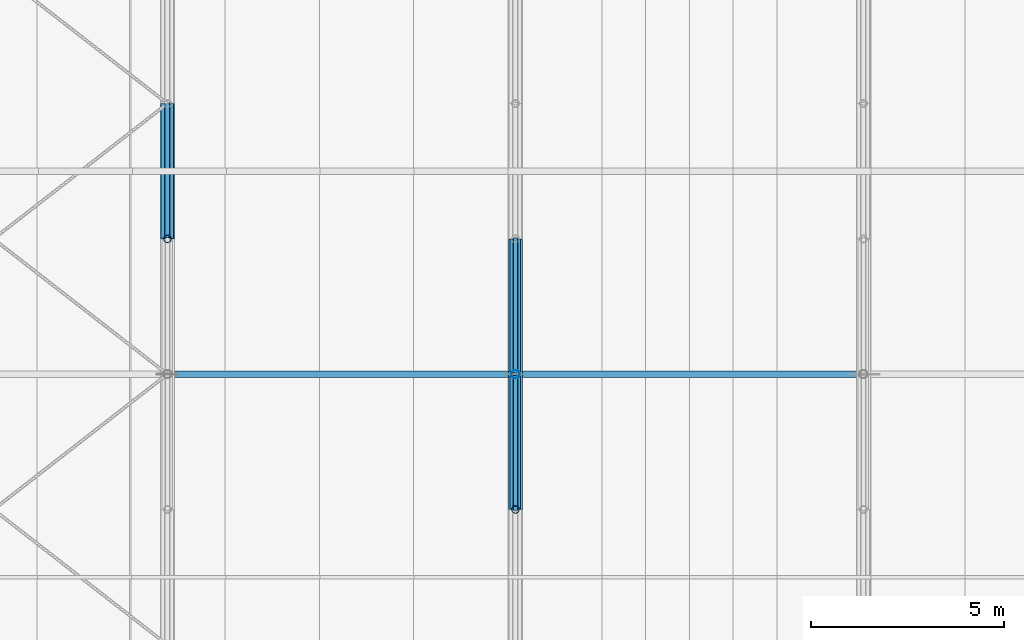
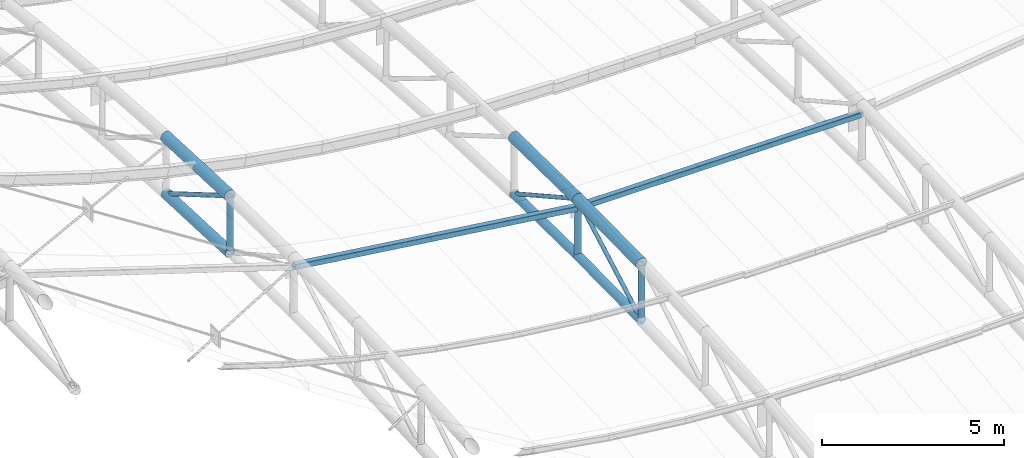
# One storey, part 25 of 262: 14 members.
"""IFC4 building model written with IfcOpenShell, lengths in metres."""

from ifc_helpers import new_model, si_unit, derived_unit, direction, frame, origin, origin_2d, place, context, subcontext, project, spatial, hollow_rectangle, hollow_circle, extrude, material, material_profile, profile_set, type_object, element, save


model = new_model("IFC4")

# Units and contexts
model_context = context("Model", 3, precision=1e-05, world=origin(), true_north=direction((0.0, 1.0)))
body_context = subcontext(model_context, "Body", "Model", "MODEL_VIEW")
ifc_project = project(units=[si_unit("LENGTHUNIT", "METRE"), si_unit("AREAUNIT", "SQUARE_METRE"), si_unit("VOLUMEUNIT", "CUBIC_METRE"), si_unit("PLANEANGLEUNIT", "RADIAN"), si_unit("MASSUNIT", "GRAM", prefix="KILO"), derived_unit("THERMALTRANSMITTANCEUNIT", [(si_unit("POWERUNIT", "WATT"), 1), (si_unit("LENGTHUNIT", "METRE"), -2), (si_unit("THERMODYNAMICTEMPERATUREUNIT", "KELVIN"), -1)])], contexts=[model_context])

# Site, building, storey
site_placement = place(None, origin())
site = spatial("IfcSite", under=ifc_project, at=site_placement, CompositionType="ELEMENT")
building_placement = place(site_placement, origin())
building = spatial("IfcBuilding", under=site, at=building_placement, Name="Almenara Railside Exhibition Hall", CompositionType="ELEMENT")
storey_placement = place(building_placement, frame((0.0, 0.0, 21.699951171875)))
storey = spatial("IfcBuildingStorey", under=building, at=storey_placement, Name="RF", CompositionType="ELEMENT", Elevation=21.699951171875)

# Members
ifc_material = material(Name="Structural steel S355JR", Category="steel")
ifc_material_profile_1 = material_profile(ifc_material, hollow_circle(Radius=0.136474609375, WallThickness=0.010009765625, at=origin_2d()), Name="CHS 273x10")
ifc_profile_set_1 = profile_set([ifc_material_profile_1], Name="Structural steel S355JR")
member_type_1 = type_object("IfcMemberType", Name="Plenary Crown Bottom Chord CHS 273x10 S355JR", PredefinedType="CHORD", material=ifc_profile_set_1)
for number, where, z_axis, x_axis, name in (
    (1, (30.0, 17.5, -8.20166015625), (0.0, 0.999897775465, 0.014298203402), (-1.0, 0.0, 0.0), "MEM-BC-V4-03-05"),
    (2, (30.0, 21.0, -8.151611328125), (0.0, 0.999897775465, -0.014298203402), (-1.0, 0.0, 0.0), "MEM-BC-V4-03-06"),
):
    element("IfcMember", number, at=place(storey_placement, frame(where, z_axis=z_axis, x_axis=x_axis)), inside=storey, type_object=member_type_1, Name=name, PredefinedType="CHORD", context=body_context, shape_type="SweptSolid", body=[
        extrude(hollow_circle(Radius=0.136474609375, WallThickness=0.010009765625, at=origin_2d()), origin(), (0.0, 0.0, 1.0), 3.500244140625),
    ])
ifc_material_profile_2 = material_profile(ifc_material, hollow_rectangle(XDim=0.179931640625, YDim=0.179931640625, WallThickness=0.008056640625, InnerFilletRadius=0.008056640625, OuterFilletRadius=0.01611328125, at=origin_2d()), Name="SHS 180x180x8")
ifc_profile_set_2 = profile_set([ifc_material_profile_2], Name="Structural steel S355JR")
member_type_2 = type_object("IfcMemberType", Name="Plenary Eaves Strut SHS 180x180x8 S355JR", PredefinedType="BRACE", material=ifc_profile_set_2)
member_1_placement = place(storey_placement, frame((21.0, 21.0, -5.3505859375), z_axis=(0.991497815941, 0.0, -0.130123329902), x_axis=(0.0, 1.0, 0.0)))
element("IfcMember", 3, at=member_1_placement, inside=storey, type_object=member_type_2, Name="MEM-ES-V4-02", PredefinedType="BRACE", context=body_context, shape_type="SweptSolid", body=[
    extrude(hollow_rectangle(XDim=0.179931640625, YDim=0.179931640625, WallThickness=0.008056640625, InnerFilletRadius=0.008056640625, OuterFilletRadius=0.01611328125, at=origin_2d()), origin(), (0.0, 0.0, 1.0), 9.0771484375),
])
member_2_placement = place(storey_placement, frame((30.0, 21.0, -6.53173828125), z_axis=(1.0, 0.0, 0.0), x_axis=(0.0, 1.0, 0.0)))
element("IfcMember", 4, at=member_2_placement, inside=storey, type_object=member_type_2, Name="MEM-ES-V4-03", PredefinedType="BRACE", context=body_context, shape_type="SweptSolid", body=[
    extrude(hollow_rectangle(XDim=0.179931640625, YDim=0.179931640625, WallThickness=0.008056640625, InnerFilletRadius=0.008056640625, OuterFilletRadius=0.01611328125, at=origin_2d()), origin(), (0.0, 0.0, 1.0), 9.0),
])
ifc_material_profile_3 = material_profile(ifc_material, hollow_circle(Radius=0.161865234375, WallThickness=0.010009765625, at=origin_2d()), Name="CHS 323.9x10")
ifc_profile_set_3 = profile_set([ifc_material_profile_3], Name="Structural steel S355JR")
member_type_3 = type_object("IfcMemberType", Name="Plenary Truss Bottom Chord CHS 323.9x10 S355JR", PredefinedType="CHORD", material=ifc_profile_set_3)
member_3_placement = place(storey_placement, frame((21.0, 24.5, -7.0205078125), z_axis=(0.0, 0.999081106193, -0.042859575914), x_axis=(-1.0, 0.0, 0.0)))
element("IfcMember", 5, at=member_3_placement, inside=storey, type_object=member_type_3, Name="MEM-BC-V4-02-07", PredefinedType="CHORD", context=body_context, shape_type="SweptSolid", body=[
    extrude(hollow_circle(Radius=0.161865234375, WallThickness=0.010009765625, at=origin_2d()), origin(), (0.0, 0.0, 1.0), 3.503173828125),
])
ifc_material_profile_4 = material_profile(ifc_material, hollow_circle(Radius=0.177734375, WallThickness=0.012451171875, at=origin_2d()), Name="CHS 355.6x12.5")
ifc_profile_set_4 = profile_set([ifc_material_profile_4], Name="Structural steel S355JR")
member_type_4 = type_object("IfcMemberType", Name="Plenary Truss Top Chord CHS 355.6x12.5 S355JR", PredefinedType="CHORD", material=ifc_profile_set_4)
member_4_placement = place(storey_placement, frame((21.0, 24.5, -5.12060546875), z_axis=(0.0, 0.999084087935, -0.042790013253), x_axis=(-1.0, 0.0, 0.0)))
element("IfcMember", 6, at=member_4_placement, inside=storey, type_object=member_type_4, Name="MEM-TC-V4-02-07", PredefinedType="CHORD", context=body_context, shape_type="SweptSolid", body=[
    extrude(hollow_circle(Radius=0.177734375, WallThickness=0.012451171875, at=origin_2d()), origin(), (0.0, 0.0, 1.0), 3.503173828125),
])
for number, where, z_axis, x_axis, name in (
    (7, (30.0, 17.5, -6.3017578125), (0.0, 0.999897775465, 0.014298203402), (-1.0, 0.0, 0.0), "MEM-TC-V4-03-05"),
    (8, (30.0, 21.0, -6.251708984375), (0.0, 0.999897775465, -0.014298203402), (-1.0, 0.0, 0.0), "MEM-TC-V4-03-06"),
):
    element("IfcMember", number, at=place(storey_placement, frame(where, z_axis=z_axis, x_axis=x_axis)), inside=storey, type_object=member_type_4, Name=name, PredefinedType="CHORD", context=body_context, shape_type="SweptSolid", body=[
        extrude(hollow_circle(Radius=0.177734375, WallThickness=0.012451171875, at=origin_2d()), origin(), (0.0, 0.0, 1.0), 3.500244140625),
    ])
ifc_material_profile_5 = material_profile(ifc_material, hollow_circle(Radius=0.0634765625, WallThickness=0.00439453125, at=origin_2d()), Name="CHS 127.0x4.5")
ifc_profile_set_5 = profile_set([ifc_material_profile_5], Name="Structural steel S355JR")
member_type_5 = type_object("IfcMemberType", Name="Truss Crown Diagonal CHS 127.0x4.5 S355JR", PredefinedType="BRACE", material=ifc_profile_set_5)
for number, where, z_axis, x_axis, name in (
    (9, (30.0, 17.5, -8.20166015625), (0.0, 0.873573157803, 0.486692857936), (-1.0, 0.0, 0.0), "MEM-TD-V4-03-05"),
    (10, (30.0, 21.0, -6.251708984375), (0.0, 0.873573157803, -0.486692857936), (-1.0, 0.0, 0.0), "MEM-TD-V4-03-06"),
):
    element("IfcMember", number, at=place(storey_placement, frame(where, z_axis=z_axis, x_axis=x_axis)), inside=storey, type_object=member_type_5, Name=name, PredefinedType="BRACE", context=body_context, shape_type="SweptSolid", body=[
        extrude(hollow_circle(Radius=0.0634765625, WallThickness=0.00439453125, at=origin_2d()), origin(), (0.0, 0.0, 1.0), 4.006591796875),
    ])
ifc_material_profile_6 = material_profile(ifc_material, hollow_circle(Radius=0.06982421875, WallThickness=0.0048828125, at=origin_2d()), Name="CHS 139.7x5")
ifc_profile_set_6 = profile_set([ifc_material_profile_6], Name="Structural steel S355JR")
member_type_6 = type_object("IfcMemberType", Name="Truss Inner Diagonal CHS 139.7x5 S355JR", PredefinedType="BRACE", material=ifc_profile_set_6)
member_5_placement = place(storey_placement, frame((21.0, 24.5, -5.12060546875), z_axis=(0.0, 0.862878111278, -0.505412074526), x_axis=(-1.0, 0.0, 0.0)))
element("IfcMember", 11, at=member_5_placement, inside=storey, type_object=member_type_6, Name="MEM-TD-V4-02-07", PredefinedType="BRACE", context=body_context, shape_type="SweptSolid", body=[
    extrude(hollow_circle(Radius=0.06982421875, WallThickness=0.0048828125, at=origin_2d()), origin(), (0.0, 0.0, 1.0), 4.05615234375),
])
ifc_material_profile_7 = material_profile(ifc_material, hollow_circle(Radius=0.109619140625, WallThickness=0.008056640625, at=origin_2d()), Name="CHS 219.1x8")
ifc_profile_set_7 = profile_set([ifc_material_profile_7], Name="Structural steel S355JR")
member_type_7 = type_object("IfcMemberType", Name="Truss Primary Vertical Strut CHS 219.1x8 S355JR", PredefinedType="BRACE", material=ifc_profile_set_7)
member_6_placement = place(storey_placement, frame((30.0, 21.0, -8.151611328125), z_axis=(0.0, 0.0, 1.0), x_axis=(1.0, 0.0, 0.0)))
element("IfcMember", 12, at=member_6_placement, inside=storey, type_object=member_type_7, Name="MEM-TV-V4-03-06", PredefinedType="BRACE", context=body_context, shape_type="SweptSolid", body=[
    extrude(hollow_circle(Radius=0.109619140625, WallThickness=0.008056640625, at=origin_2d()), origin(), (0.0, 0.0, 1.0), 1.89990234375),
])
ifc_material_profile_8 = material_profile(ifc_material, hollow_circle(Radius=0.096923828125, WallThickness=0.00634765625, at=origin_2d()), Name="CHS 193.7x6.3")
ifc_profile_set_8 = profile_set([ifc_material_profile_8], Name="Structural steel S355JR")
member_type_8 = type_object("IfcMemberType", Name="Truss Standard Vertical Strut CHS 193.7x6.3 S355JR", PredefinedType="BRACE", material=ifc_profile_set_8)
for number, where, z_axis, x_axis, name in (
    (13, (21.0, 24.5, -7.0205078125), (0.0, 0.0, 1.0), (1.0, 0.0, 0.0), "MEM-TV-V4-02-07"),
    (14, (30.0, 17.5, -8.20166015625), (0.0, 0.0, 1.0), (1.0, 0.0, 0.0), "MEM-TV-V4-03-05"),
):
    element("IfcMember", number, at=place(storey_placement, frame(where, z_axis=z_axis, x_axis=x_axis)), inside=storey, type_object=member_type_8, Name=name, PredefinedType="BRACE", context=body_context, shape_type="SweptSolid", body=[
        extrude(hollow_circle(Radius=0.096923828125, WallThickness=0.00634765625, at=origin_2d()), origin(), (0.0, 0.0, 1.0), 1.89990234375),
    ])

save(model, "model.ifc")
